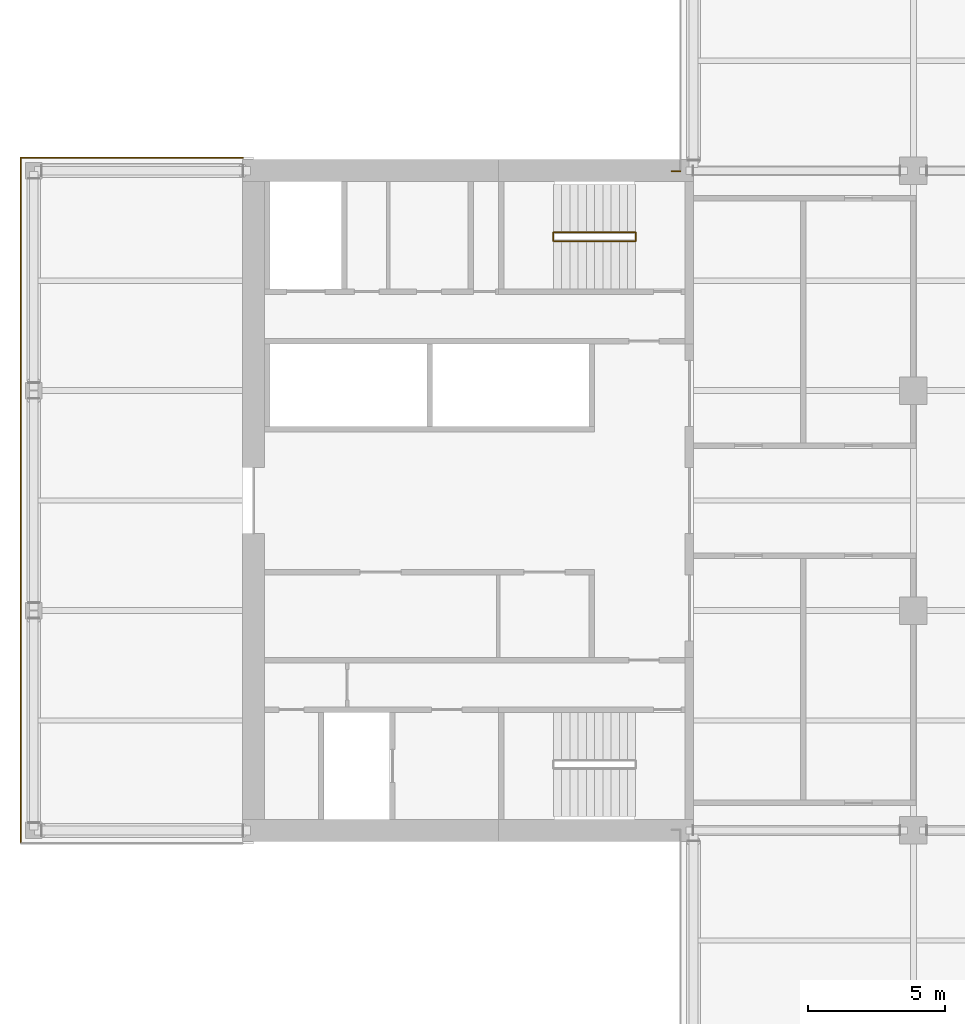
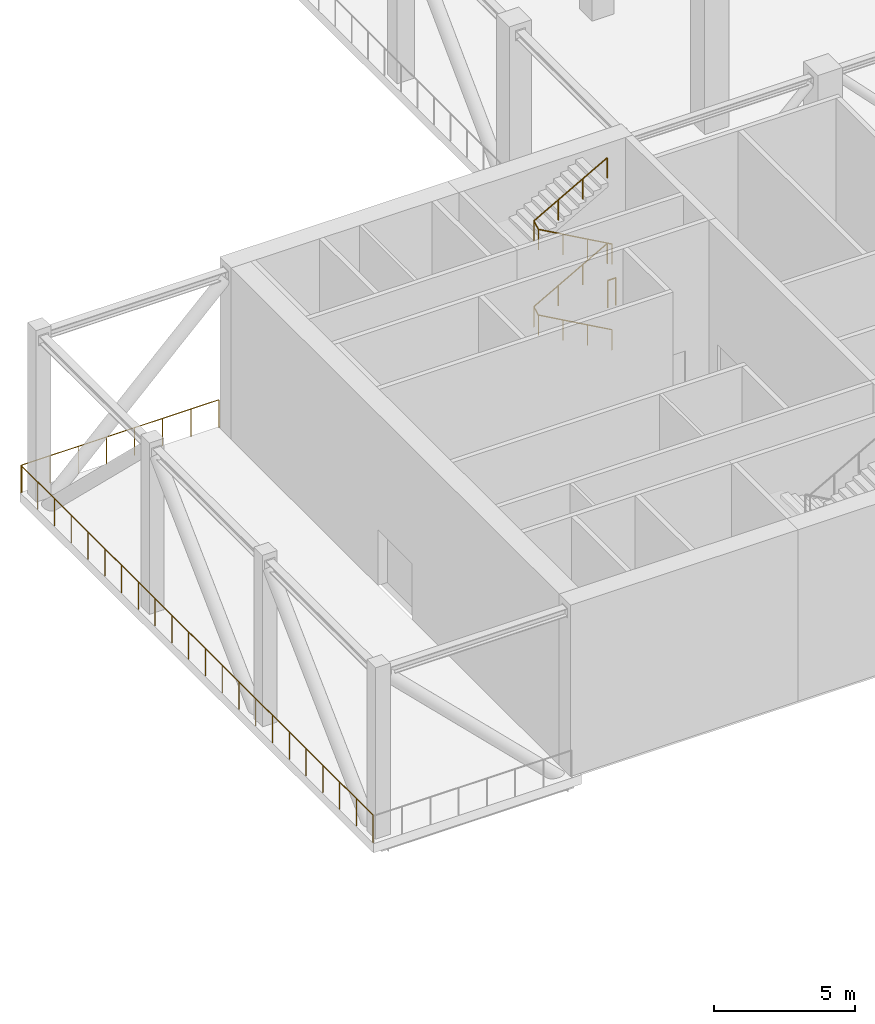
# One storey, part 16 of 18: 4 railings.
"""IFC4 building model written with IfcOpenShell, lengths in metres."""

from ifc_helpers import new_model, si_unit, direction, frame, origin, origin_2d, place, context, subcontext, project, spatial, circle, extrude, material, type_object, element, save


model = new_model("IFC4")

# Units and contexts
model_context = context("Model", 3, precision=1e-05, world=origin(), true_north=direction((0.0, 1.0)))
body_context = subcontext(model_context, "Body", "Model", "MODEL_VIEW")
ifc_project = project(units=[si_unit("LENGTHUNIT", "METRE"), si_unit("AREAUNIT", "SQUARE_METRE"), si_unit("VOLUMEUNIT", "CUBIC_METRE"), si_unit("PLANEANGLEUNIT", "RADIAN"), si_unit("MASSUNIT", "GRAM", prefix="KILO")], contexts=[model_context])

# Site, building, storey
site_placement = place(None, origin())
site = spatial("IfcSite", under=ifc_project, at=site_placement, CompositionType="ELEMENT")
building_placement = place(site_placement, origin())
building = spatial("IfcBuilding", under=site, at=building_placement, Name="Crosswind Convention Tower", CompositionType="ELEMENT")
storey_placement = place(building_placement, frame((0.0, 0.0, 105.300048828125)))
storey = spatial("IfcBuildingStorey", under=building, at=storey_placement, Name="L21", CompositionType="ELEMENT", Elevation=105.300048828125)

# Railings
ifc_material_1 = material(Name="Stainless steel", Category="steel")
railing_type_1 = type_object("IfcRailingType", Name="Stair handrail 900", PredefinedType="HANDRAIL", material=ifc_material_1)
railing_1_placement = place(storey_placement, frame((110.89990234375, 109.43994140625, 0.168212890625)))
element("IfcRailing", 1, at=railing_1_placement, inside=storey, type_object=railing_type_1, Name="Stair ST4 handrail L21", PredefinedType="HANDRAIL", context=body_context, shape_type="SweptSolid", body=[
    extrude(circle(Radius=0.02392578125, at=origin_2d()), frame((0.0, 0.0, 0.8759765625), z_axis=(-0.872302573547, 0.0, 0.488966481656), x_axis=(0.0, -1.0, 0.0)), (0.0, 0.0, 1.0), 3.439208984375),
    extrude(circle(Radius=0.02392578125, at=origin_2d()), frame((-3.0, 0.0, 2.5576171875), z_axis=(0.0, 0.885196349292, 0.465217608438), x_axis=(-1.0, 0.0, 0.0)), (0.0, 0.0, 1.0), 0.361572265625),
    extrude(circle(Radius=0.02392578125, at=origin_2d()), frame((-3.0, 0.320068359375, 2.7255859375), z_axis=(0.872272294576, 0.0, 0.489020494575), x_axis=(0.0, 1.0, 0.0)), (0.0, 0.0, 1.0), 3.439208984375),
    extrude(circle(Radius=0.02392578125, at=origin_2d()), frame((0.0, 0.320068359375, 4.40771484375), z_axis=(0.0, -0.885196349292, 0.465217608438), x_axis=(1.0, 0.0, 0.0)), (0.0, 0.0, 1.0), 0.361572265625),
    extrude(circle(Radius=0.02392578125, at=origin_2d()), frame((0.0, 0.0, 4.57568359375), z_axis=(-0.872272294576, 0.0, 0.489020494575), x_axis=(0.0, -1.0, 0.0)), (0.0, 0.0, 1.0), 3.439208984375),
    extrude(circle(Radius=0.02392578125, at=origin_2d()), frame((-3.0, 0.0, 6.2578125), z_axis=(0.0, 0.885474334664, 0.464688285468), x_axis=(-1.0, 0.0, 0.0)), (0.0, 0.0, 1.0), 0.361572265625),
    extrude(circle(Radius=0.02392578125, at=origin_2d()), frame((-3.0, 0.320068359375, 6.42578125), z_axis=(0.872272294576, 0.0, 0.489020494575), x_axis=(0.0, 1.0, 0.0)), (0.0, 0.0, 1.0), 3.439208984375),
    extrude(circle(Radius=0.02099609375, at=origin_2d()), origin(), (0.0, 0.0, 1.0), 0.851806640625),
    extrude(circle(Radius=0.02099609375, at=origin_2d()), frame((-1.0, 0.0, 0.560546875)), (0.0, 0.0, 1.0), 0.851806640625),
    extrude(circle(Radius=0.02099609375, at=origin_2d()), frame((-2.0, 0.0, 1.12109375)), (0.0, 0.0, 1.0), 0.851806640625),
    extrude(circle(Radius=0.02099609375, at=origin_2d()), frame((-3.0, 0.0, 1.681640625)), (0.0, 0.0, 1.0), 0.851806640625),
    extrude(circle(Radius=0.02099609375, at=origin_2d()), frame((-3.0, 0.320068359375, 1.849853515625)), (0.0, 0.0, 1.0), 0.851806640625),
    extrude(circle(Radius=0.02099609375, at=origin_2d()), frame((-2.0, 0.320068359375, 2.410400390625)), (0.0, 0.0, 1.0), 0.851806640625),
    extrude(circle(Radius=0.02099609375, at=origin_2d()), frame((-1.0, 0.320068359375, 2.97119140625)), (0.0, 0.0, 1.0), 0.851806640625),
    extrude(circle(Radius=0.02099609375, at=origin_2d()), frame((0.0, 0.320068359375, 3.53173828125)), (0.0, 0.0, 1.0), 0.851806640625),
    extrude(circle(Radius=0.02099609375, at=origin_2d()), frame((0.0, 0.0, 3.699951171875)), (0.0, 0.0, 1.0), 0.851806640625),
    extrude(circle(Radius=0.02099609375, at=origin_2d()), frame((-1.0, 0.0, 4.260498046875)), (0.0, 0.0, 1.0), 0.851806640625),
    extrude(circle(Radius=0.02099609375, at=origin_2d()), frame((-2.0, 0.0, 4.8212890625)), (0.0, 0.0, 1.0), 0.851806640625),
    extrude(circle(Radius=0.02099609375, at=origin_2d()), frame((-3.0, 0.0, 5.3818359375)), (0.0, 0.0, 1.0), 0.851806640625),
    extrude(circle(Radius=0.02099609375, at=origin_2d()), frame((-3.0, 0.320068359375, 5.5498046875)), (0.0, 0.0, 1.0), 0.851806640625),
    extrude(circle(Radius=0.02099609375, at=origin_2d()), frame((-2.0, 0.320068359375, 6.1103515625)), (0.0, 0.0, 1.0), 0.851806640625),
    extrude(circle(Radius=0.02099609375, at=origin_2d()), frame((-1.0, 0.320068359375, 6.671142578125)), (0.0, 0.0, 1.0), 0.851806640625),
    extrude(circle(Radius=0.02099609375, at=origin_2d()), frame((0.0, 0.320068359375, 7.231689453125)), (0.0, 0.0, 1.0), 0.851806640625),
])
ifc_material_2 = material(Name="Stainless steel guard", Category="steel")
railing_type_2 = type_object("IfcRailingType", Name="WIND FLOOR GUARD 1200", PredefinedType="GUARDRAIL", material=ifc_material_2)
railing_2_placement = place(storey_placement, frame((88.52490234375, 87.56494140625, 0.0)))
element("IfcRailing", 2, at=railing_2_placement, inside=storey, type_object=railing_type_2, Name="R12 guard L21 2", PredefinedType="GUARDRAIL", context=body_context, shape_type="SweptSolid", body=[
    extrude(circle(Radius=0.01904296875, at=origin_2d()), frame((0.0, 0.0, 1.180908203125), z_axis=(0.0, 1.0, 0.0), x_axis=(-1.0, 0.0, 0.0)), (0.0, 0.0, 1.0), 24.91015625),
    extrude(circle(Radius=0.01611328125, at=origin_2d()), origin(), (0.0, 0.0, 1.0), 1.161865234375),
    extrude(circle(Radius=0.01611328125, at=origin_2d()), frame((0.0, 1.186279296875, 0.0)), (0.0, 0.0, 1.0), 1.161865234375),
    extrude(circle(Radius=0.01611328125, at=origin_2d()), frame((0.0, 2.372314453125, 0.0)), (0.0, 0.0, 1.0), 1.161865234375),
    extrude(circle(Radius=0.01611328125, at=origin_2d()), frame((0.0, 3.55859375, 0.0)), (0.0, 0.0, 1.0), 1.161865234375),
    extrude(circle(Radius=0.01611328125, at=origin_2d()), frame((0.0, 4.744873046875, 0.0)), (0.0, 0.0, 1.0), 1.161865234375),
    extrude(circle(Radius=0.01611328125, at=origin_2d()), frame((0.0, 5.930908203125, 0.0)), (0.0, 0.0, 1.0), 1.161865234375),
    extrude(circle(Radius=0.01611328125, at=origin_2d()), frame((0.0, 7.1171875, 0.0)), (0.0, 0.0, 1.0), 1.161865234375),
    extrude(circle(Radius=0.01611328125, at=origin_2d()), frame((0.0, 8.303466796875, 0.0)), (0.0, 0.0, 1.0), 1.161865234375),
    extrude(circle(Radius=0.01611328125, at=origin_2d()), frame((0.0, 9.489501953125, 0.0)), (0.0, 0.0, 1.0), 1.161865234375),
    extrude(circle(Radius=0.01611328125, at=origin_2d()), frame((0.0, 10.67578125, 0.0)), (0.0, 0.0, 1.0), 1.161865234375),
    extrude(circle(Radius=0.01611328125, at=origin_2d()), frame((0.0, 11.862060546875, 0.0)), (0.0, 0.0, 1.0), 1.161865234375),
    extrude(circle(Radius=0.01611328125, at=origin_2d()), frame((0.0, 13.048095703125, 0.0)), (0.0, 0.0, 1.0), 1.161865234375),
    extrude(circle(Radius=0.01611328125, at=origin_2d()), frame((0.0, 14.234375, 0.0)), (0.0, 0.0, 1.0), 1.161865234375),
    extrude(circle(Radius=0.01611328125, at=origin_2d()), frame((0.0, 15.420654296875, 0.0)), (0.0, 0.0, 1.0), 1.161865234375),
    extrude(circle(Radius=0.01611328125, at=origin_2d()), frame((0.0, 16.606689453125, 0.0)), (0.0, 0.0, 1.0), 1.161865234375),
    extrude(circle(Radius=0.01611328125, at=origin_2d()), frame((0.0, 17.79296875, 0.0)), (0.0, 0.0, 1.0), 1.161865234375),
    extrude(circle(Radius=0.01611328125, at=origin_2d()), frame((0.0, 18.979248046875, 0.0)), (0.0, 0.0, 1.0), 1.161865234375),
    extrude(circle(Radius=0.01611328125, at=origin_2d()), frame((0.0, 20.165283203125, 0.0)), (0.0, 0.0, 1.0), 1.161865234375),
    extrude(circle(Radius=0.01611328125, at=origin_2d()), frame((0.0, 21.3515625, 0.0)), (0.0, 0.0, 1.0), 1.161865234375),
    extrude(circle(Radius=0.01611328125, at=origin_2d()), frame((0.0, 22.537841796875, 0.0)), (0.0, 0.0, 1.0), 1.161865234375),
    extrude(circle(Radius=0.01611328125, at=origin_2d()), frame((0.0, 23.723876953125, 0.0)), (0.0, 0.0, 1.0), 1.161865234375),
    extrude(circle(Radius=0.01611328125, at=origin_2d()), frame((0.0, 24.91015625, 0.0)), (0.0, 0.0, 1.0), 1.161865234375),
])
railing_3_placement = place(storey_placement, frame((88.56494140625, 112.47509765625, 0.0)))
element("IfcRailing", 3, at=railing_3_placement, inside=storey, type_object=railing_type_2, Name="R12 guard L21 3", PredefinedType="GUARDRAIL", context=body_context, shape_type="SweptSolid", body=[
    extrude(circle(Radius=0.01904296875, at=origin_2d()), frame((0.0, 0.0, 1.180908203125), z_axis=(1.0, 0.0, 0.0), x_axis=(0.0, 1.0, 0.0)), (0.0, 0.0, 1.0), 8.045166015625),
    extrude(circle(Radius=0.01611328125, at=origin_2d()), origin(), (0.0, 0.0, 1.0), 1.161865234375),
    extrude(circle(Radius=0.01611328125, at=origin_2d()), frame((1.1494140625, 0.0, 0.0)), (0.0, 0.0, 1.0), 1.161865234375),
    extrude(circle(Radius=0.01611328125, at=origin_2d()), frame((2.298583984375, 0.0, 0.0)), (0.0, 0.0, 1.0), 1.161865234375),
    extrude(circle(Radius=0.01611328125, at=origin_2d()), frame((3.447998046875, 0.0, 0.0)), (0.0, 0.0, 1.0), 1.161865234375),
    extrude(circle(Radius=0.01611328125, at=origin_2d()), frame((4.59716796875, 0.0, 0.0)), (0.0, 0.0, 1.0), 1.161865234375),
    extrude(circle(Radius=0.01611328125, at=origin_2d()), frame((5.74658203125, 0.0, 0.0)), (0.0, 0.0, 1.0), 1.161865234375),
    extrude(circle(Radius=0.01611328125, at=origin_2d()), frame((6.895751953125, 0.0, 0.0)), (0.0, 0.0, 1.0), 1.161865234375),
    extrude(circle(Radius=0.01611328125, at=origin_2d()), frame((8.045166015625, 0.0, 0.0)), (0.0, 0.0, 1.0), 1.161865234375),
])
railing_4_placement = place(storey_placement, frame((112.199951171875, 111.97509765625, 0.0)))
element("IfcRailing", 4, at=railing_4_placement, inside=storey, type_object=railing_type_2, Name="R12 guard L21 4", PredefinedType="GUARDRAIL", context=body_context, shape_type="SweptSolid", body=[
    extrude(circle(Radius=0.01904296875, at=origin_2d()), frame((0.0, 0.0, 1.180908203125), z_axis=(1.0, 0.0, 0.0), x_axis=(0.0, 1.0, 0.0)), (0.0, 0.0, 1.0), 0.324951171875),
    extrude(circle(Radius=0.01611328125, at=origin_2d()), origin(), (0.0, 0.0, 1.0), 1.161865234375),
    extrude(circle(Radius=0.01611328125, at=origin_2d()), frame((0.324951171875, 0.0, 0.0)), (0.0, 0.0, 1.0), 1.161865234375),
])

save(model, "model.ifc")
